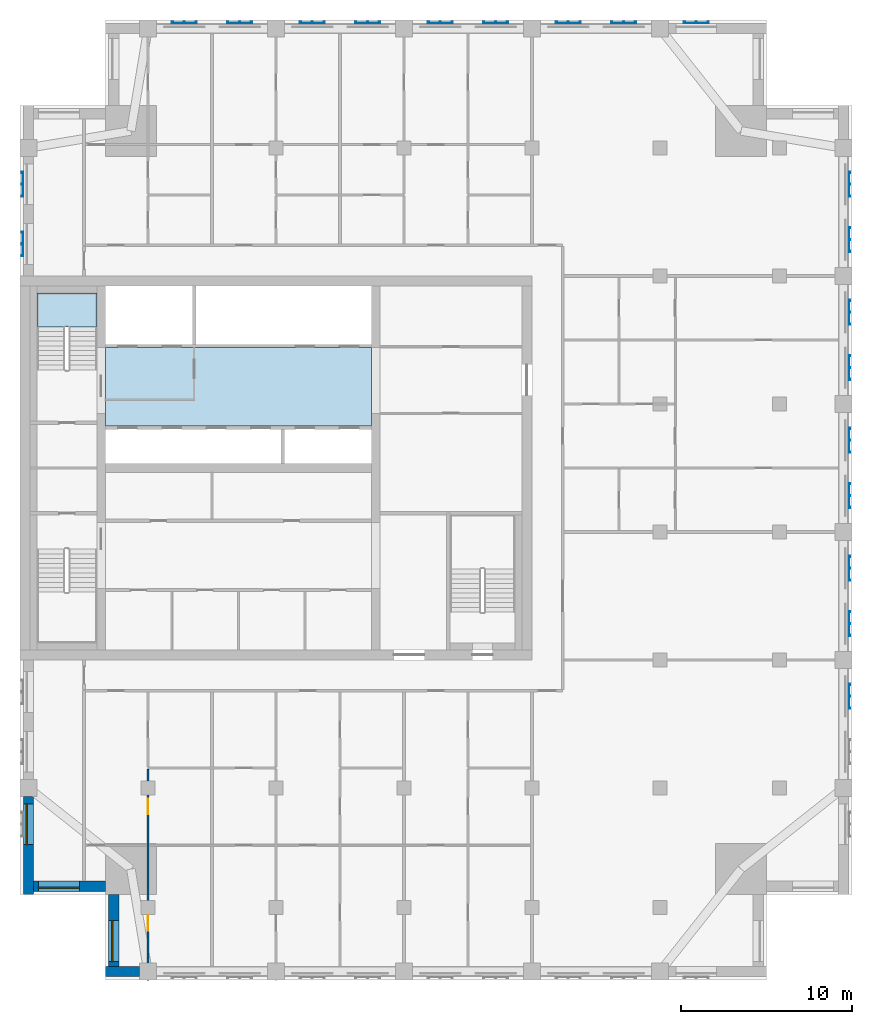
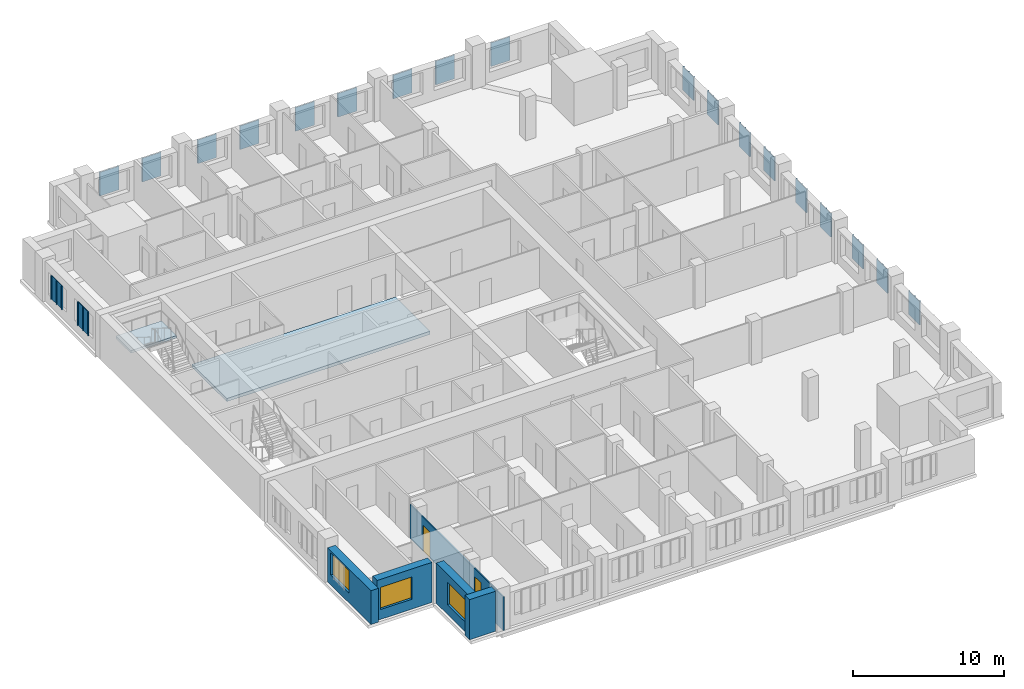
# One storey, part 2 of 11: 20 plates, 5 walls, 3 windows, 2 doors, 2 slabs, 5 openings, 1 element without a shape of its own.
"""IFC4 building model written with IfcOpenShell, lengths in metres."""

from ifc_helpers import new_model, si_unit, direction, frame, frame_2d, origin, place, context, subcontext, project, spatial, polyline, rectangle, outline, extrude, material, layer, layer_set, type_object, element, fill, aggregate, save


model = new_model("IFC4")

# Units and contexts
model_context = context("Model", 3, precision=1e-05, world=origin(), true_north=direction((0.0, 1.0)))
body_context = subcontext(model_context, "Body", "Model", "MODEL_VIEW")
ifc_project = project(units=[si_unit("LENGTHUNIT", "METRE"), si_unit("AREAUNIT", "SQUARE_METRE"), si_unit("VOLUMEUNIT", "CUBIC_METRE"), si_unit("PLANEANGLEUNIT", "RADIAN"), si_unit("MASSUNIT", "GRAM", prefix="KILO")], contexts=[model_context])

# Site, building, storey
site_placement = place(None, origin())
site = spatial("IfcSite", under=ifc_project, at=site_placement, CompositionType="ELEMENT")
building_placement = place(site_placement, origin())
building = spatial("IfcBuilding", under=site, at=building_placement, Name="Tamorin Gate", CompositionType="ELEMENT")
storey_placement = place(building_placement, frame((0.0, 0.0, 230.199951171875)))
storey = spatial("IfcBuildingStorey", under=building, at=storey_placement, Name="L57", CompositionType="ELEMENT", Elevation=230.199951171875)

# Slab
ifc_material_1 = material(Name="Concrete C40/50", Category="concrete")
ifc_layer_1 = layer(ifc_material_1, 0.25)
ifc_layer_set_1 = layer_set([ifc_layer_1], Name="Core floor slab 250 C40/50")
slab_type_1 = type_object("IfcSlabType", Name="Core floor slab 250 C40/50", PredefinedType="FLOOR", material=ifc_layer_set_1)
slab_1_placement = place(storey_placement, frame((0.0, 0.0, -0.25)))
element("IfcSlab", 1, at=slab_1_placement, inside=storey, type_object=slab_type_1, Name="Core floor L57", PredefinedType="FLOOR", context=body_context, shape_type="SweptSolid", body=[
    extrude(outline(polyline([(50.60009765625, 73.699951171875), (35.0, 73.699951171875), (35.0, 78.300048828125), (50.60009765625, 78.300048828125), (50.60009765625, 73.699951171875)])), origin(), (0.0, 0.0, 1.0), 0.25),
])

# Stair, slab
stair_type = type_object("IfcStairType", Name="Exit stair", PredefinedType="HALF_TURN_STAIR", material=ifc_material_1)
stair_placement = place(storey_placement, origin())
stair = element("IfcStair", 2, at=stair_placement, inside=storey, type_object=stair_type, Name="L57 stair ST2", PredefinedType="HALF_TURN_STAIR")
ifc_layer_2 = layer(ifc_material_1, 0.199951171875)
ifc_layer_set_2 = layer_set([ifc_layer_2], Name="Exit stair landing 200")
slab_type_2 = type_object("IfcSlabType", Name="Exit stair landing 200", PredefinedType="LANDING", material=ifc_layer_set_2)
slab_2_placement = place(storey_placement, frame((0.0, 0.0, 1.550048828125)))
slab_2 = element("IfcSlab", 3, at=slab_2_placement, type_object=slab_type_2, Name="ST2 landing 1", PredefinedType="LANDING", context=body_context, shape_type="SweptSolid", body=[
    extrude(outline(polyline([(34.5, 79.52001953125), (34.5, 81.5), (31.0, 81.5), (31.0, 79.52001953125), (34.5, 79.52001953125)])), origin(), (0.0, 0.0, 1.0), 0.199951171875),
])
aggregate(stair, [slab_2])

# Plates
ifc_material_2 = material(Name="Perforated pale aluminium sheet", Category="aluminium")
ifc_layer_3 = layer(ifc_material_2, 0.0400390625)
ifc_layer_set_3 = layer_set([ifc_layer_3], Name="Pale metal solar screen 1440")
plate_type = type_object("IfcPlateType", Name="Pale metal solar screen 1440", PredefinedType="SHEET", material=ifc_layer_set_3)
plate_1_placement = place(storey_placement, frame((0.0, 0.0, 0.737548828125)))
element("IfcPlate", 4, at=plate_1_placement, inside=storey, type_object=plate_type, Name="Perforated solar screen", PredefinedType="SHEET", context=body_context, shape_type="SweptSolid", body=[
    extrude(outline(polyline([(78.590087890625, 57.155029296875), (78.550048828125, 57.155029296875), (78.550048828125, 57.215087890625), (78.550048828125, 57.844970703125), (78.550048828125, 57.905029296875), (78.550048828125, 58.534912109375), (78.550048828125, 58.594970703125), (78.590087890625, 58.594970703125), (78.64990234375, 58.594970703125), (78.64990234375, 58.534912109375), (78.590087890625, 58.534912109375), (78.590087890625, 57.905029296875), (78.64990234375, 57.905029296875), (78.64990234375, 57.844970703125), (78.590087890625, 57.844970703125), (78.590087890625, 57.215087890625), (78.64990234375, 57.215087890625), (78.64990234375, 57.155029296875), (78.590087890625, 57.155029296875)])), origin(), (0.0, 0.0, 1.0), 1.925048828125),
])
plate_2_placement = place(storey_placement, frame((0.0, 0.0, 0.737548828125)))
element("IfcPlate", 5, at=plate_2_placement, inside=storey, type_object=plate_type, Name="Perforated solar screen", PredefinedType="SHEET", context=body_context, shape_type="SweptSolid", body=[
    extrude(outline(polyline([(78.590087890625, 61.405029296875), (78.550048828125, 61.405029296875), (78.550048828125, 61.465087890625), (78.550048828125, 62.094970703125), (78.550048828125, 62.155029296875), (78.550048828125, 62.784912109375), (78.550048828125, 62.844970703125), (78.590087890625, 62.844970703125), (78.64990234375, 62.844970703125), (78.64990234375, 62.784912109375), (78.590087890625, 62.784912109375), (78.590087890625, 62.155029296875), (78.64990234375, 62.155029296875), (78.64990234375, 62.094970703125), (78.590087890625, 62.094970703125), (78.590087890625, 61.465087890625), (78.64990234375, 61.465087890625), (78.64990234375, 61.405029296875), (78.590087890625, 61.405029296875)])), origin(), (0.0, 0.0, 1.0), 1.925048828125),
])
plate_3_placement = place(storey_placement, frame((0.0, 0.0, 0.737548828125)))
element("IfcPlate", 6, at=plate_3_placement, inside=storey, type_object=plate_type, Name="Perforated solar screen", PredefinedType="SHEET", context=body_context, shape_type="SweptSolid", body=[
    extrude(outline(polyline([(78.590087890625, 64.655029296875), (78.550048828125, 64.655029296875), (78.550048828125, 64.715087890625), (78.550048828125, 65.344970703125), (78.550048828125, 65.405029296875), (78.550048828125, 66.034912109375), (78.550048828125, 66.094970703125), (78.590087890625, 66.094970703125), (78.64990234375, 66.094970703125), (78.64990234375, 66.034912109375), (78.590087890625, 66.034912109375), (78.590087890625, 65.405029296875), (78.64990234375, 65.405029296875), (78.64990234375, 65.344970703125), (78.590087890625, 65.344970703125), (78.590087890625, 64.715087890625), (78.64990234375, 64.715087890625), (78.64990234375, 64.655029296875), (78.590087890625, 64.655029296875)])), origin(), (0.0, 0.0, 1.0), 1.925048828125),
])
plate_4_placement = place(storey_placement, frame((0.0, 0.0, 0.737548828125)))
element("IfcPlate", 7, at=plate_4_placement, inside=storey, type_object=plate_type, Name="Perforated solar screen", PredefinedType="SHEET", context=body_context, shape_type="SweptSolid", body=[
    extrude(outline(polyline([(78.590087890625, 68.905029296875), (78.550048828125, 68.905029296875), (78.550048828125, 68.965087890625), (78.550048828125, 69.594970703125), (78.550048828125, 69.655029296875), (78.550048828125, 70.284912109375), (78.550048828125, 70.344970703125), (78.590087890625, 70.344970703125), (78.64990234375, 70.344970703125), (78.64990234375, 70.284912109375), (78.590087890625, 70.284912109375), (78.590087890625, 69.655029296875), (78.64990234375, 69.655029296875), (78.64990234375, 69.594970703125), (78.590087890625, 69.594970703125), (78.590087890625, 68.965087890625), (78.64990234375, 68.965087890625), (78.64990234375, 68.905029296875), (78.590087890625, 68.905029296875)])), origin(), (0.0, 0.0, 1.0), 1.925048828125),
])
plate_5_placement = place(storey_placement, frame((0.0, 0.0, 0.737548828125)))
element("IfcPlate", 8, at=plate_5_placement, inside=storey, type_object=plate_type, Name="Perforated solar screen", PredefinedType="SHEET", context=body_context, shape_type="SweptSolid", body=[
    extrude(outline(polyline([(78.590087890625, 72.155029296875), (78.550048828125, 72.155029296875), (78.550048828125, 72.215087890625), (78.550048828125, 72.844970703125), (78.550048828125, 72.905029296875), (78.550048828125, 73.534912109375), (78.550048828125, 73.594970703125), (78.590087890625, 73.594970703125), (78.64990234375, 73.594970703125), (78.64990234375, 73.534912109375), (78.590087890625, 73.534912109375), (78.590087890625, 72.905029296875), (78.64990234375, 72.905029296875), (78.64990234375, 72.844970703125), (78.590087890625, 72.844970703125), (78.590087890625, 72.215087890625), (78.64990234375, 72.215087890625), (78.64990234375, 72.155029296875), (78.590087890625, 72.155029296875)])), origin(), (0.0, 0.0, 1.0), 1.925048828125),
])
plate_6_placement = place(storey_placement, frame((0.0, 0.0, 0.737548828125)))
element("IfcPlate", 9, at=plate_6_placement, inside=storey, type_object=plate_type, Name="Perforated solar screen", PredefinedType="SHEET", context=body_context, shape_type="SweptSolid", body=[
    extrude(outline(polyline([(78.590087890625, 76.405029296875), (78.550048828125, 76.405029296875), (78.550048828125, 76.465087890625), (78.550048828125, 77.094970703125), (78.550048828125, 77.155029296875), (78.550048828125, 77.784912109375), (78.550048828125, 77.844970703125), (78.590087890625, 77.844970703125), (78.64990234375, 77.844970703125), (78.64990234375, 77.784912109375), (78.590087890625, 77.784912109375), (78.590087890625, 77.155029296875), (78.64990234375, 77.155029296875), (78.64990234375, 77.094970703125), (78.590087890625, 77.094970703125), (78.590087890625, 76.465087890625), (78.64990234375, 76.465087890625), (78.64990234375, 76.405029296875), (78.590087890625, 76.405029296875)])), origin(), (0.0, 0.0, 1.0), 1.925048828125),
])
plate_7_placement = place(storey_placement, frame((0.0, 0.0, 0.737548828125)))
element("IfcPlate", 10, at=plate_7_placement, inside=storey, type_object=plate_type, Name="Perforated solar screen", PredefinedType="SHEET", context=body_context, shape_type="SweptSolid", body=[
    extrude(outline(polyline([(78.590087890625, 79.655029296875), (78.550048828125, 79.655029296875), (78.550048828125, 79.715087890625), (78.550048828125, 80.344970703125), (78.550048828125, 80.405029296875), (78.550048828125, 81.034912109375), (78.550048828125, 81.094970703125), (78.590087890625, 81.094970703125), (78.64990234375, 81.094970703125), (78.64990234375, 81.034912109375), (78.590087890625, 81.034912109375), (78.590087890625, 80.405029296875), (78.64990234375, 80.405029296875), (78.64990234375, 80.344970703125), (78.590087890625, 80.344970703125), (78.590087890625, 79.715087890625), (78.64990234375, 79.715087890625), (78.64990234375, 79.655029296875), (78.590087890625, 79.655029296875)])), origin(), (0.0, 0.0, 1.0), 1.925048828125),
])
plate_8_placement = place(storey_placement, frame((0.0, 0.0, 0.737548828125)))
element("IfcPlate", 11, at=plate_8_placement, inside=storey, type_object=plate_type, Name="Perforated solar screen", PredefinedType="SHEET", context=body_context, shape_type="SweptSolid", body=[
    extrude(outline(polyline([(78.590087890625, 83.905029296875), (78.550048828125, 83.905029296875), (78.550048828125, 83.965087890625), (78.550048828125, 84.594970703125), (78.550048828125, 84.655029296875), (78.550048828125, 85.284912109375), (78.550048828125, 85.344970703125), (78.590087890625, 85.344970703125), (78.64990234375, 85.344970703125), (78.64990234375, 85.284912109375), (78.590087890625, 85.284912109375), (78.590087890625, 84.655029296875), (78.64990234375, 84.655029296875), (78.64990234375, 84.594970703125), (78.590087890625, 84.594970703125), (78.590087890625, 83.965087890625), (78.64990234375, 83.965087890625), (78.64990234375, 83.905029296875), (78.590087890625, 83.905029296875)])), origin(), (0.0, 0.0, 1.0), 1.925048828125),
])
plate_9_placement = place(storey_placement, frame((0.0, 0.0, 0.737548828125)))
element("IfcPlate", 12, at=plate_9_placement, inside=storey, type_object=plate_type, Name="Perforated solar screen", PredefinedType="SHEET", context=body_context, shape_type="SweptSolid", body=[
    extrude(outline(polyline([(78.590087890625, 87.155029296875), (78.550048828125, 87.155029296875), (78.550048828125, 87.215087890625), (78.550048828125, 87.844970703125), (78.550048828125, 87.905029296875), (78.550048828125, 88.534912109375), (78.550048828125, 88.594970703125), (78.590087890625, 88.594970703125), (78.64990234375, 88.594970703125), (78.64990234375, 88.534912109375), (78.590087890625, 88.534912109375), (78.590087890625, 87.905029296875), (78.64990234375, 87.905029296875), (78.64990234375, 87.844970703125), (78.590087890625, 87.844970703125), (78.590087890625, 87.215087890625), (78.64990234375, 87.215087890625), (78.64990234375, 87.155029296875), (78.590087890625, 87.155029296875)])), origin(), (0.0, 0.0, 1.0), 1.925048828125),
])
plate_10_placement = place(storey_placement, frame((0.0, 0.0, 0.737548828125)))
element("IfcPlate", 13, at=plate_10_placement, inside=storey, type_object=plate_type, Name="Perforated solar screen", PredefinedType="SHEET", context=body_context, shape_type="SweptSolid", body=[
    extrude(outline(polyline([(70.344970703125, 97.340087890625), (70.344970703125, 97.300048828125), (70.284912109375, 97.300048828125), (69.655029296875, 97.300048828125), (69.594970703125, 97.300048828125), (68.965087890625, 97.300048828125), (68.905029296875, 97.300048828125), (68.905029296875, 97.300048828125), (68.905029296875, 97.340087890625), (68.905029296875, 97.340087890625), (68.905029296875, 97.39990234375), (68.965087890625, 97.39990234375), (68.965087890625, 97.340087890625), (69.594970703125, 97.340087890625), (69.594970703125, 97.39990234375), (69.655029296875, 97.39990234375), (69.655029296875, 97.340087890625), (70.284912109375, 97.340087890625), (70.284912109375, 97.39990234375), (70.344970703125, 97.39990234375), (70.344970703125, 97.340087890625)])), origin(), (0.0, 0.0, 1.0), 1.925048828125),
])
plate_11_placement = place(storey_placement, frame((0.0, 0.0, 0.737548828125)))
element("IfcPlate", 14, at=plate_11_placement, inside=storey, type_object=plate_type, Name="Perforated solar screen", PredefinedType="SHEET", context=body_context, shape_type="SweptSolid", body=[
    extrude(outline(polyline([(62.844970703125, 97.340087890625), (62.844970703125, 97.300048828125), (62.784912109375, 97.300048828125), (62.155029296875, 97.300048828125), (62.094970703125, 97.300048828125), (61.465087890625, 97.300048828125), (61.405029296875, 97.300048828125), (61.405029296875, 97.340087890625), (61.405029296875, 97.39990234375), (61.465087890625, 97.39990234375), (61.465087890625, 97.340087890625), (62.094970703125, 97.340087890625), (62.094970703125, 97.39990234375), (62.155029296875, 97.39990234375), (62.155029296875, 97.340087890625), (62.784912109375, 97.340087890625), (62.784912109375, 97.39990234375), (62.844970703125, 97.39990234375), (62.844970703125, 97.340087890625)])), origin(), (0.0, 0.0, 1.0), 1.925048828125),
])
plate_12_placement = place(storey_placement, frame((0.0, 0.0, 0.737548828125)))
element("IfcPlate", 15, at=plate_12_placement, inside=storey, type_object=plate_type, Name="Perforated solar screen", PredefinedType="SHEET", context=body_context, shape_type="SweptSolid", body=[
    extrude(outline(polyline([(66.094970703125, 97.340087890625), (66.094970703125, 97.300048828125), (66.034912109375, 97.300048828125), (65.405029296875, 97.300048828125), (65.344970703125, 97.300048828125), (64.715087890625, 97.300048828125), (64.655029296875, 97.300048828125), (64.655029296875, 97.340087890625), (64.655029296875, 97.39990234375), (64.715087890625, 97.39990234375), (64.715087890625, 97.340087890625), (65.344970703125, 97.340087890625), (65.344970703125, 97.39990234375), (65.405029296875, 97.39990234375), (65.405029296875, 97.340087890625), (66.034912109375, 97.340087890625), (66.034912109375, 97.39990234375), (66.094970703125, 97.39990234375), (66.094970703125, 97.340087890625)])), origin(), (0.0, 0.0, 1.0), 1.925048828125),
])
plate_13_placement = place(storey_placement, frame((0.0, 0.0, 0.737548828125)))
element("IfcPlate", 16, at=plate_13_placement, inside=storey, type_object=plate_type, Name="Perforated solar screen", PredefinedType="SHEET", context=body_context, shape_type="SweptSolid", body=[
    extrude(outline(polyline([(55.344970703125, 97.340087890625), (55.344970703125, 97.300048828125), (55.284912109375, 97.300048828125), (54.655029296875, 97.300048828125), (54.594970703125, 97.300048828125), (53.965087890625, 97.300048828125), (53.905029296875, 97.300048828125), (53.905029296875, 97.340087890625), (53.905029296875, 97.39990234375), (53.965087890625, 97.39990234375), (53.965087890625, 97.340087890625), (54.594970703125, 97.340087890625), (54.594970703125, 97.39990234375), (54.655029296875, 97.39990234375), (54.655029296875, 97.340087890625), (55.284912109375, 97.340087890625), (55.284912109375, 97.39990234375), (55.344970703125, 97.39990234375), (55.344970703125, 97.340087890625)])), origin(), (0.0, 0.0, 1.0), 1.925048828125),
])
plate_14_placement = place(storey_placement, frame((0.0, 0.0, 0.737548828125)))
element("IfcPlate", 17, at=plate_14_placement, inside=storey, type_object=plate_type, Name="Perforated solar screen", PredefinedType="SHEET", context=body_context, shape_type="SweptSolid", body=[
    extrude(outline(polyline([(58.594970703125, 97.340087890625), (58.594970703125, 97.300048828125), (58.534912109375, 97.300048828125), (57.905029296875, 97.300048828125), (57.844970703125, 97.300048828125), (57.215087890625, 97.300048828125), (57.155029296875, 97.300048828125), (57.155029296875, 97.340087890625), (57.155029296875, 97.39990234375), (57.215087890625, 97.39990234375), (57.215087890625, 97.340087890625), (57.844970703125, 97.340087890625), (57.844970703125, 97.39990234375), (57.905029296875, 97.39990234375), (57.905029296875, 97.340087890625), (58.534912109375, 97.340087890625), (58.534912109375, 97.39990234375), (58.594970703125, 97.39990234375), (58.594970703125, 97.340087890625)])), origin(), (0.0, 0.0, 1.0), 1.925048828125),
])
plate_15_placement = place(storey_placement, frame((0.0, 0.0, 0.737548828125)))
element("IfcPlate", 18, at=plate_15_placement, inside=storey, type_object=plate_type, Name="Perforated solar screen", PredefinedType="SHEET", context=body_context, shape_type="SweptSolid", body=[
    extrude(outline(polyline([(47.844970703125, 97.340087890625), (47.844970703125, 97.300048828125), (47.784912109375, 97.300048828125), (47.155029296875, 97.300048828125), (47.094970703125, 97.300048828125), (46.465087890625, 97.300048828125), (46.405029296875, 97.300048828125), (46.405029296875, 97.340087890625), (46.405029296875, 97.39990234375), (46.465087890625, 97.39990234375), (46.465087890625, 97.340087890625), (47.094970703125, 97.340087890625), (47.094970703125, 97.39990234375), (47.155029296875, 97.39990234375), (47.155029296875, 97.340087890625), (47.784912109375, 97.340087890625), (47.784912109375, 97.39990234375), (47.844970703125, 97.39990234375), (47.844970703125, 97.340087890625)])), origin(), (0.0, 0.0, 1.0), 1.925048828125),
])
plate_16_placement = place(storey_placement, frame((0.0, 0.0, 0.737548828125)))
element("IfcPlate", 19, at=plate_16_placement, inside=storey, type_object=plate_type, Name="Perforated solar screen", PredefinedType="SHEET", context=body_context, shape_type="SweptSolid", body=[
    extrude(outline(polyline([(51.094970703125, 97.340087890625), (51.094970703125, 97.300048828125), (51.034912109375, 97.300048828125), (50.405029296875, 97.300048828125), (50.344970703125, 97.300048828125), (49.715087890625, 97.300048828125), (49.655029296875, 97.300048828125), (49.655029296875, 97.340087890625), (49.655029296875, 97.39990234375), (49.715087890625, 97.39990234375), (49.715087890625, 97.340087890625), (50.344970703125, 97.340087890625), (50.344970703125, 97.39990234375), (50.405029296875, 97.39990234375), (50.405029296875, 97.340087890625), (51.034912109375, 97.340087890625), (51.034912109375, 97.39990234375), (51.094970703125, 97.39990234375), (51.094970703125, 97.340087890625)])), origin(), (0.0, 0.0, 1.0), 1.925048828125),
])
plate_17_placement = place(storey_placement, frame((0.0, 0.0, 0.737548828125)))
element("IfcPlate", 20, at=plate_17_placement, inside=storey, type_object=plate_type, Name="Perforated solar screen", PredefinedType="SHEET", context=body_context, shape_type="SweptSolid", body=[
    extrude(outline(polyline([(40.344970703125, 97.340087890625), (40.344970703125, 97.300048828125), (40.284912109375, 97.300048828125), (39.655029296875, 97.300048828125), (39.594970703125, 97.300048828125), (38.965087890625, 97.300048828125), (38.905029296875, 97.300048828125), (38.905029296875, 97.340087890625), (38.905029296875, 97.39990234375), (38.965087890625, 97.39990234375), (38.965087890625, 97.340087890625), (39.594970703125, 97.340087890625), (39.594970703125, 97.39990234375), (39.655029296875, 97.39990234375), (39.655029296875, 97.340087890625), (40.284912109375, 97.340087890625), (40.284912109375, 97.39990234375), (40.344970703125, 97.39990234375), (40.344970703125, 97.340087890625)])), origin(), (0.0, 0.0, 1.0), 1.925048828125),
])
plate_18_placement = place(storey_placement, frame((0.0, 0.0, 0.737548828125)))
element("IfcPlate", 21, at=plate_18_placement, inside=storey, type_object=plate_type, Name="Perforated solar screen", PredefinedType="SHEET", context=body_context, shape_type="SweptSolid", body=[
    extrude(outline(polyline([(43.594970703125, 97.340087890625), (43.594970703125, 97.300048828125), (43.534912109375, 97.300048828125), (42.905029296875, 97.300048828125), (42.844970703125, 97.300048828125), (42.215087890625, 97.300048828125), (42.155029296875, 97.300048828125), (42.155029296875, 97.340087890625), (42.155029296875, 97.39990234375), (42.215087890625, 97.39990234375), (42.215087890625, 97.340087890625), (42.844970703125, 97.340087890625), (42.844970703125, 97.39990234375), (42.905029296875, 97.39990234375), (42.905029296875, 97.340087890625), (43.534912109375, 97.340087890625), (43.534912109375, 97.39990234375), (43.594970703125, 97.39990234375), (43.594970703125, 97.340087890625)])), origin(), (0.0, 0.0, 1.0), 1.925048828125),
])
plate_19_placement = place(storey_placement, frame((0.0, 0.0, 0.737548828125)))
element("IfcPlate", 22, at=plate_19_placement, inside=storey, type_object=plate_type, Name="Perforated solar screen", PredefinedType="SHEET", context=body_context, shape_type="SweptSolid", body=[
    extrude(outline(polyline([(30.159912109375, 85.094970703125), (30.199951171875, 85.094970703125), (30.199951171875, 85.034912109375), (30.199951171875, 84.405029296875), (30.199951171875, 84.344970703125), (30.199951171875, 83.715087890625), (30.199951171875, 83.655029296875), (30.159912109375, 83.655029296875), (30.10009765625, 83.655029296875), (30.10009765625, 83.715087890625), (30.159912109375, 83.715087890625), (30.159912109375, 84.344970703125), (30.10009765625, 84.344970703125), (30.10009765625, 84.405029296875), (30.159912109375, 84.405029296875), (30.159912109375, 85.034912109375), (30.10009765625, 85.034912109375), (30.10009765625, 85.094970703125), (30.159912109375, 85.094970703125)])), origin(), (0.0, 0.0, 1.0), 1.925048828125),
])
plate_20_placement = place(storey_placement, frame((0.0, 0.0, 0.737548828125)))
element("IfcPlate", 23, at=plate_20_placement, inside=storey, type_object=plate_type, Name="Perforated solar screen", PredefinedType="SHEET", context=body_context, shape_type="SweptSolid", body=[
    extrude(outline(polyline([(30.159912109375, 88.594970703125), (30.199951171875, 88.594970703125), (30.199951171875, 88.534912109375), (30.199951171875, 87.905029296875), (30.199951171875, 87.844970703125), (30.199951171875, 87.215087890625), (30.199951171875, 87.155029296875), (30.199951171875, 87.155029296875), (30.159912109375, 87.155029296875), (30.159912109375, 87.155029296875), (30.10009765625, 87.155029296875), (30.10009765625, 87.215087890625), (30.159912109375, 87.215087890625), (30.159912109375, 87.844970703125), (30.10009765625, 87.844970703125), (30.10009765625, 87.905029296875), (30.159912109375, 87.905029296875), (30.159912109375, 88.534912109375), (30.10009765625, 88.534912109375), (30.10009765625, 88.594970703125), (30.159912109375, 88.594970703125)])), origin(), (0.0, 0.0, 1.0), 1.925048828125),
])

# Wall
ifc_material_3 = material(Name="Precast concrete C40/50", Category="concrete")
ifc_layer_4 = layer(ifc_material_3, 0.60009765625)
ifc_layer_set_4 = layer_set([ifc_layer_4], Name="Precast concrete C40/50")
wall_type_1 = type_object("IfcWallType", Name="Board-marked concrete facade panel 600", PredefinedType="SOLIDWALL", material=ifc_layer_set_4)
wall_1_placement = place(storey_placement, frame((35.0, 41.75, 0.0), z_axis=(0.0, 0.0, 1.0), x_axis=(1.0, 0.0, 0.0)))
element("IfcWall", 24, at=wall_1_placement, inside=storey, type_object=wall_type_1, Name="Facade panel", PredefinedType="SOLIDWALL", context=body_context, shape_type="SweptSolid", body=[
    extrude(rectangle(XDim=2.0, YDim=0.60009765625, at=frame_2d((1.0, 0.0))), origin(), (0.0, 0.0, 1.0), 3.25),
])

# Wall, opening, window
wall_2_placement = place(storey_placement, frame((30.5, 52.0, 0.0), z_axis=(0.0, 0.0, 1.0), x_axis=(0.0, -1.0, 0.0)))
wall_2 = element("IfcWall", 25, at=wall_2_placement, inside=storey, type_object=wall_type_1, Name="Facade panel", PredefinedType="SOLIDWALL", context=body_context, shape_type="SweptSolid", body=[
    extrude(rectangle(XDim=5.75, YDim=0.60009765625, at=frame_2d((2.875, 0.0))), origin(), (0.0, 0.0, 1.0), 2.75),
])
opening_1_placement = place(wall_2_placement, frame((0.425048828125, 0.0, 0.800048828125)))
opening_1 = element("IfcOpeningElement", 26, at=opening_1_placement, cuts=wall_2, Name="Opening WN1", PredefinedType="OPENING", context=body_context, shape_type="SweptSolid", body=[
    extrude(rectangle(XDim=2.39990234375, YDim=1.800048828125, at=frame_2d((1.199951171875, 0.89990234375))), frame((0.0, 0.31005859375, 0.0), z_axis=(0.0, -1.0, 0.0), x_axis=(1.0, 0.0, 0.0)), (0.0, 0.0, 1.0), 0.6201171875),
])
ifc_material_4 = material(Name="Clear glass in aluminium frame", Category="aluminium")
window_type = type_object("IfcWindowType", Name="Deep-set window 2400x1800", PartitioningType="SINGLE_PANEL", PredefinedType="WINDOW", material=ifc_material_4)
window_1_placement = place(opening_1_placement, origin())
window_1 = element("IfcWindow", 27, at=window_1_placement, inside=storey, type_object=window_type, Name="Deep-set window", OverallHeight=1.800048828125, OverallWidth=2.39990234375, PartitioningType="SINGLE_PANEL", PredefinedType="WINDOW", context=body_context, shape_type="SweptSolid", body=[
    extrude(rectangle(XDim=2.39990234375, YDim=1.800048828125, at=frame_2d((1.199951171875, 0.89990234375))), frame((0.0, -0.070068359375, 0.0), z_axis=(0.0, -1.0, 0.0), x_axis=(1.0, 0.0, 0.0)), (0.0, 0.0, 1.0), 0.06005859375),
])
fill(opening_1, window_1)

wall_3_placement = place(storey_placement, frame((30.800048828125, 46.75, 0.0), z_axis=(0.0, 0.0, 1.0), x_axis=(1.0, 0.0, 0.0)))
wall_3 = element("IfcWall", 28, at=wall_3_placement, inside=storey, type_object=wall_type_1, Name="Facade panel", PredefinedType="SOLIDWALL", context=body_context, shape_type="SweptSolid", body=[
    extrude(rectangle(XDim=4.199951171875, YDim=0.60009765625, at=frame_2d((2.10009765625, 0.0))), origin(), (0.0, 0.0, 1.0), 3.25),
])
opening_2_placement = place(wall_3_placement, frame((0.27490234375, 0.0, 0.800048828125)))
opening_2 = element("IfcOpeningElement", 29, at=opening_2_placement, cuts=wall_3, Name="Opening WN1", PredefinedType="OPENING", context=body_context, shape_type="SweptSolid", body=[
    extrude(rectangle(XDim=2.39990234375, YDim=1.800048828125, at=frame_2d((1.199951171875, 0.89990234375))), frame((0.0, 0.31005859375, 0.0), z_axis=(0.0, -1.0, 0.0), x_axis=(1.0, 0.0, 0.0)), (0.0, 0.0, 1.0), 0.6201171875),
])
window_2_placement = place(opening_2_placement, origin())
window_2 = element("IfcWindow", 30, at=window_2_placement, inside=storey, type_object=window_type, Name="Deep-set window", OverallHeight=1.800048828125, OverallWidth=2.39990234375, PartitioningType="SINGLE_PANEL", PredefinedType="WINDOW", context=body_context, shape_type="SweptSolid", body=[
    extrude(rectangle(XDim=2.39990234375, YDim=1.800048828125, at=frame_2d((1.199951171875, 0.89990234375))), frame((0.0, -0.070068359375, 0.0), z_axis=(0.0, -1.0, 0.0), x_axis=(1.0, 0.0, 0.0)), (0.0, 0.0, 1.0), 0.06005859375),
])
fill(opening_2, window_2)

wall_4_placement = place(storey_placement, frame((35.5, 46.25, 0.0), z_axis=(0.0, 0.0, 1.0), x_axis=(0.0, -1.0, 0.0)))
wall_4 = element("IfcWall", 31, at=wall_4_placement, inside=storey, type_object=wall_type_1, Name="Facade panel", PredefinedType="SOLIDWALL", context=body_context, shape_type="SweptSolid", body=[
    extrude(rectangle(XDim=4.199951171875, YDim=0.60009765625, at=frame_2d((2.10009765625, 0.0))), origin(), (0.0, 0.0, 1.0), 3.25),
])
opening_3_placement = place(wall_4_placement, frame((1.52490234375, 0.0, 0.800048828125)))
opening_3 = element("IfcOpeningElement", 32, at=opening_3_placement, cuts=wall_4, Name="Opening WN1", PredefinedType="OPENING", context=body_context, shape_type="SweptSolid", body=[
    extrude(rectangle(XDim=2.39990234375, YDim=1.800048828125, at=frame_2d((1.199951171875, 0.89990234375))), frame((0.0, 0.31005859375, 0.0), z_axis=(0.0, -1.0, 0.0), x_axis=(1.0, 0.0, 0.0)), (0.0, 0.0, 1.0), 0.6201171875),
])
window_3_placement = place(opening_3_placement, origin())
window_3 = element("IfcWindow", 33, at=window_3_placement, inside=storey, type_object=window_type, Name="Deep-set window", OverallHeight=1.800048828125, OverallWidth=2.39990234375, PartitioningType="SINGLE_PANEL", PredefinedType="WINDOW", context=body_context, shape_type="SweptSolid", body=[
    extrude(rectangle(XDim=2.39990234375, YDim=1.800048828125, at=frame_2d((1.199951171875, 0.89990234375))), frame((0.0, -0.070068359375, 0.0), z_axis=(0.0, -1.0, 0.0), x_axis=(1.0, 0.0, 0.0)), (0.0, 0.0, 1.0), 0.06005859375),
])
fill(opening_3, window_3)

# Wall, openings, doors
ifc_material_5 = material(Name="Gypsum board partition")
ifc_layer_5 = layer(ifc_material_5, 0.10009765625)
ifc_layer_set_5 = layer_set([ifc_layer_5], Name="Room partition 100")
wall_type_2 = type_object("IfcWallType", Name="Room partition 100", PredefinedType="PARTITIONING", material=ifc_layer_set_5)
wall_5_placement = place(storey_placement, frame((37.5, 41.25, 0.0), z_axis=(0.0, 0.0, 1.0), x_axis=(0.0, 1.0, 0.0)))
wall_5 = element("IfcWall", 34, at=wall_5_placement, inside=storey, type_object=wall_type_2, Name="Room partition 100", PredefinedType="PARTITIONING", context=body_context, shape_type="SweptSolid", body=[
    extrude(rectangle(XDim=12.362548828125, YDim=0.10009765625, at=frame_2d((6.18115234375, 0.0))), origin(), (0.0, 0.0, 1.0), 2.75),
])
opening_4_placement = place(wall_5_placement, frame((9.71240234375, 0.0, 0.0)))
opening_4 = element("IfcOpeningElement", 35, at=opening_4_placement, cuts=wall_5, Name="Opening DR7004", PredefinedType="OPENING", context=body_context, shape_type="SweptSolid", body=[
    extrude(rectangle(XDim=0.89990234375, YDim=2.10009765625, at=frame_2d((0.449951171875, 1.050048828125))), frame((0.0, 0.06005859375, 0.0), z_axis=(0.0, -1.0, 0.0), x_axis=(1.0, 0.0, 0.0)), (0.0, 0.0, 1.0), 0.1201171875),
])
opening_5_placement = place(wall_5_placement, frame((2.89990234375, 0.0, 0.0)))
opening_5 = element("IfcOpeningElement", 36, at=opening_5_placement, cuts=wall_5, Name="Opening DR7006", PredefinedType="OPENING", context=body_context, shape_type="SweptSolid", body=[
    extrude(rectangle(XDim=0.89990234375, YDim=2.10009765625, at=frame_2d((0.449951171875, 1.050048828125))), frame((0.0, 0.06005859375, 0.0), z_axis=(0.0, -1.0, 0.0), x_axis=(1.0, 0.0, 0.0)), (0.0, 0.0, 1.0), 0.1201171875),
])
ifc_material_6 = material(Name="Timber door leaf", Category="wood")
door_type = type_object("IfcDoorType", Name="Door 900 x 2100", OperationType="NOTDEFINED", PredefinedType="DOOR", material=ifc_material_6)
door_1_placement = place(opening_4_placement, origin())
door_1 = element("IfcDoor", 37, at=door_1_placement, inside=storey, type_object=door_type, Name="Door DR7004", OperationType="SINGLE_SWING_LEFT", OverallHeight=2.10009765625, OverallWidth=0.89990234375, PredefinedType="DOOR", context=body_context, shape_type="SweptSolid", body=[
    extrude(rectangle(XDim=0.89990234375, YDim=2.10009765625, at=frame_2d((0.449951171875, 1.050048828125))), frame((0.0, 0.02490234375, 0.0), z_axis=(0.0, -1.0, 0.0), x_axis=(1.0, 0.0, 0.0)), (0.0, 0.0, 1.0), 0.050048828125),
])
fill(opening_4, door_1)
door_2_placement = place(opening_5_placement, origin())
door_2 = element("IfcDoor", 38, at=door_2_placement, inside=storey, type_object=door_type, Name="Door DR7006", OperationType="SINGLE_SWING_LEFT", OverallHeight=2.10009765625, OverallWidth=0.89990234375, PredefinedType="DOOR", context=body_context, shape_type="SweptSolid", body=[
    extrude(rectangle(XDim=0.89990234375, YDim=2.10009765625, at=frame_2d((0.449951171875, 1.050048828125))), frame((0.0, 0.02490234375, 0.0), z_axis=(0.0, -1.0, 0.0), x_axis=(1.0, 0.0, 0.0)), (0.0, 0.0, 1.0), 0.050048828125),
])
fill(opening_5, door_2)

save(model, "model.ifc")
